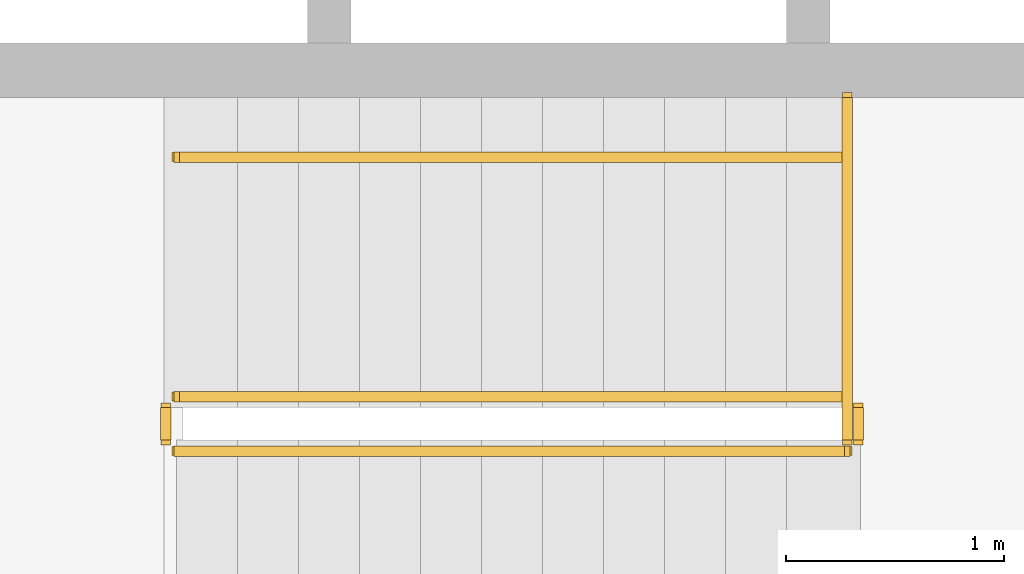
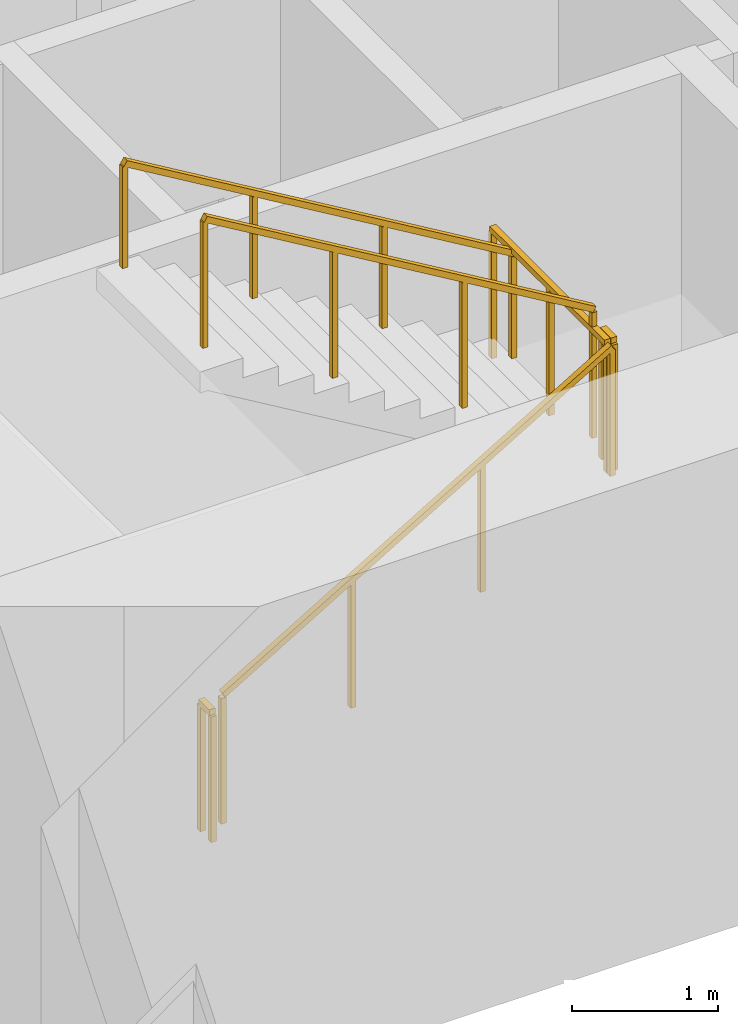
# One storey, part 13 of 16: 6 railings.
"""IFC4 building model written with IfcOpenShell, lengths in metres."""

from ifc_helpers import new_model, si_unit, direction, frame, origin, origin_2d, place, context, subcontext, project, spatial, rectangle, extrude, material, type_object, element, save


model = new_model("IFC4")

# Units and contexts
model_context = context("Model", 3, precision=1e-05, world=origin(), true_north=direction((0.0, 1.0)))
body_context = subcontext(model_context, "Body", "Model", "MODEL_VIEW")
ifc_project = project(units=[si_unit("LENGTHUNIT", "METRE"), si_unit("AREAUNIT", "SQUARE_METRE"), si_unit("VOLUMEUNIT", "CUBIC_METRE"), si_unit("PLANEANGLEUNIT", "RADIAN"), si_unit("MASSUNIT", "GRAM", prefix="KILO")], contexts=[model_context])

# Site, building, storey
site_placement = place(None, origin())
site = spatial("IfcSite", under=ifc_project, at=site_placement, CompositionType="ELEMENT")
building_placement = place(site_placement, origin())
building = spatial("IfcBuilding", under=site, at=building_placement, Name="Sennacour Bend Tower", CompositionType="ELEMENT")
storey_placement = place(building_placement, frame((0.0, 0.0, 83.0)))
storey = spatial("IfcBuildingStorey", under=building, at=storey_placement, Name="L18", CompositionType="ELEMENT", Elevation=83.0)

# Railings
ifc_material = material(Name="Stainless steel", Category="steel")
railing_type_1 = type_object("IfcRailingType", Name="RL-GUARD-1100", PredefinedType="GUARDRAIL", material=ifc_material)
railing_1_placement = place(storey_placement, frame((56.699951171875, 2.449951171875, 0.166748046875)))
element("IfcRailing", 1, at=railing_1_placement, inside=storey, type_object=railing_type_1, Name="L18 SA1 stair guard 1", PredefinedType="GUARDRAIL", context=body_context, shape_type="SweptSolid", body=[
    extrude(rectangle(XDim=0.048095703125, YDim=0.048095703125, at=origin_2d()), frame((0.0, 0.0, 1.076171875), z_axis=(0.859308565015, 0.0, 0.511457515432), x_axis=(0.0, 1.0, 0.0)), (0.0, 0.0, 1.0), 3.58447265625),
    extrude(rectangle(XDim=0.0419921875, YDim=0.0419921875, at=origin_2d()), origin(), (0.0, 0.0, 1.0), 1.052001953125),
    extrude(rectangle(XDim=0.0419921875, YDim=0.0419921875, at=origin_2d()), frame((1.026611328125, 0.0, 0.611083984375)), (0.0, 0.0, 1.0), 1.052001953125),
    extrude(rectangle(XDim=0.0419921875, YDim=0.0419921875, at=origin_2d()), frame((2.053466796875, 0.0, 1.22216796875)), (0.0, 0.0, 1.0), 1.052001953125),
    extrude(rectangle(XDim=0.0419921875, YDim=0.0419921875, at=origin_2d()), frame((3.080078125, 0.0, 1.833251953125)), (0.0, 0.0, 1.0), 1.052001953125),
])
railing_2_placement = place(storey_placement, frame((59.830078125, 2.5, 2.0)))
element("IfcRailing", 2, at=railing_2_placement, inside=storey, type_object=railing_type_1, Name="L18 SA1 stair guard 2", PredefinedType="GUARDRAIL", context=body_context, shape_type="SweptSolid", body=[
    extrude(rectangle(XDim=0.048095703125, YDim=0.048095703125, at=origin_2d()), frame((0.0, 0.0, 1.076171875), z_axis=(0.0, 1.0, 0.0), x_axis=(-1.0, 0.0, 0.0)), (0.0, 0.0, 1.0), 0.14990234375),
    extrude(rectangle(XDim=0.0419921875, YDim=0.0419921875, at=origin_2d()), origin(), (0.0, 0.0, 1.0), 1.052001953125),
    extrude(rectangle(XDim=0.0419921875, YDim=0.0419921875, at=origin_2d()), frame((0.0, 0.14990234375, 0.0)), (0.0, 0.0, 1.0), 1.052001953125),
])
railing_3_placement = place(storey_placement, frame((59.780029296875, 2.699951171875, 2.166748046875)))
element("IfcRailing", 3, at=railing_3_placement, inside=storey, type_object=railing_type_1, Name="L18 SA1 stair guard 4", PredefinedType="GUARDRAIL", context=body_context, shape_type="SweptSolid", body=[
    extrude(rectangle(XDim=0.048095703125, YDim=0.048095703125, at=origin_2d()), frame((0.0, 0.0, 1.076171875), z_axis=(-0.859308565015, 0.0, 0.511457515432), x_axis=(0.0, -1.0, 0.0)), (0.0, 0.0, 1.0), 3.58447265625),
    extrude(rectangle(XDim=0.0419921875, YDim=0.0419921875, at=origin_2d()), origin(), (0.0, 0.0, 1.0), 1.052001953125),
    extrude(rectangle(XDim=0.0419921875, YDim=0.0419921875, at=origin_2d()), frame((-1.026611328125, 0.0, 0.611083984375)), (0.0, 0.0, 1.0), 1.052001953125),
    extrude(rectangle(XDim=0.0419921875, YDim=0.0419921875, at=origin_2d()), frame((-2.053466796875, 0.0, 1.22216796875)), (0.0, 0.0, 1.0), 1.052001953125),
    extrude(rectangle(XDim=0.0419921875, YDim=0.0419921875, at=origin_2d()), frame((-3.080078125, 0.0, 1.833251953125)), (0.0, 0.0, 1.0), 1.052001953125),
])
railing_4_placement = place(storey_placement, frame((56.64990234375, 2.5, 0.0)))
element("IfcRailing", 4, at=railing_4_placement, inside=storey, type_object=railing_type_1, Name="L18 SA1 stair guard 5", PredefinedType="GUARDRAIL", context=body_context, shape_type="SweptSolid", body=[
    extrude(rectangle(XDim=0.048095703125, YDim=0.048095703125, at=origin_2d()), frame((0.0, 0.0, 1.076171875), z_axis=(0.0, 1.0, 0.0), x_axis=(-1.0, 0.0, 0.0)), (0.0, 0.0, 1.0), 0.14990234375),
    extrude(rectangle(XDim=0.0419921875, YDim=0.0419921875, at=origin_2d()), origin(), (0.0, 0.0, 1.0), 1.052001953125),
    extrude(rectangle(XDim=0.0419921875, YDim=0.0419921875, at=origin_2d()), frame((0.0, 0.14990234375, 0.0)), (0.0, 0.0, 1.0), 1.052001953125),
])
railing_5_placement = place(storey_placement, frame((59.780029296875, 2.5, 2.0)))
element("IfcRailing", 5, at=railing_5_placement, inside=storey, type_object=railing_type_1, Name="L18 SA1 landing edge guard 36", PredefinedType="GUARDRAIL", context=body_context, shape_type="SweptSolid", body=[
    extrude(rectangle(XDim=0.048095703125, YDim=0.048095703125, at=origin_2d()), frame((0.0, 0.0, 1.076171875), z_axis=(0.0, 1.0, 0.0), x_axis=(-1.0, 0.0, 0.0)), (0.0, 0.0, 1.0), 1.574951171875),
    extrude(rectangle(XDim=0.0419921875, YDim=0.0419921875, at=origin_2d()), origin(), (0.0, 0.0, 1.0), 1.052001953125),
    extrude(rectangle(XDim=0.0419921875, YDim=0.0419921875, at=origin_2d()), frame((0.0, 0.78759765625, 0.0)), (0.0, 0.0, 1.0), 1.052001953125),
    extrude(rectangle(XDim=0.0419921875, YDim=0.0419921875, at=origin_2d()), frame((0.0, 1.574951171875, 0.0)), (0.0, 0.0, 1.0), 1.052001953125),
])
railing_type_2 = type_object("IfcRailingType", Name="RL-HANDRAIL-900", PredefinedType="HANDRAIL", material=ifc_material)
railing_6_placement = place(storey_placement, frame((59.780029296875, 3.800048828125, 2.166748046875)))
element("IfcRailing", 6, at=railing_6_placement, inside=storey, type_object=railing_type_2, Name="L18 SA1 stair handrail 2", PredefinedType="HANDRAIL", context=body_context, shape_type="SweptSolid", body=[
    extrude(rectangle(XDim=0.048095703125, YDim=0.048095703125, at=origin_2d()), frame((0.0, 0.0, 0.8759765625), z_axis=(-0.859308565015, 0.0, 0.511457515432), x_axis=(0.0, -1.0, 0.0)), (0.0, 0.0, 1.0), 3.58447265625),
    extrude(rectangle(XDim=0.0419921875, YDim=0.0419921875, at=origin_2d()), origin(), (0.0, 0.0, 1.0), 0.851806640625),
    extrude(rectangle(XDim=0.0419921875, YDim=0.0419921875, at=origin_2d()), frame((-1.026611328125, 0.0, 0.611083984375)), (0.0, 0.0, 1.0), 0.851806640625),
    extrude(rectangle(XDim=0.0419921875, YDim=0.0419921875, at=origin_2d()), frame((-2.053466796875, 0.0, 1.22216796875)), (0.0, 0.0, 1.0), 0.851806640625),
    extrude(rectangle(XDim=0.0419921875, YDim=0.0419921875, at=origin_2d()), frame((-3.080078125, 0.0, 1.833251953125)), (0.0, 0.0, 1.0), 0.851806640625),
])

save(model, "model.ifc")
